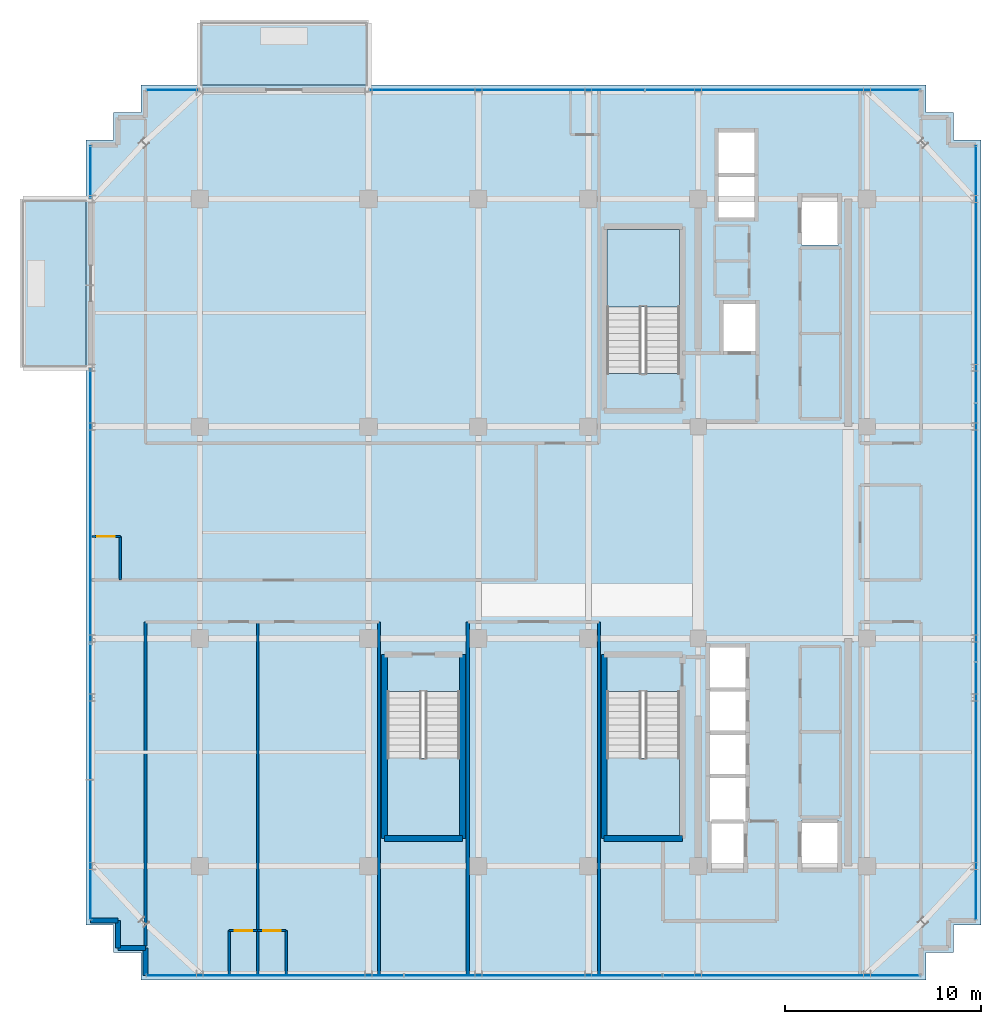
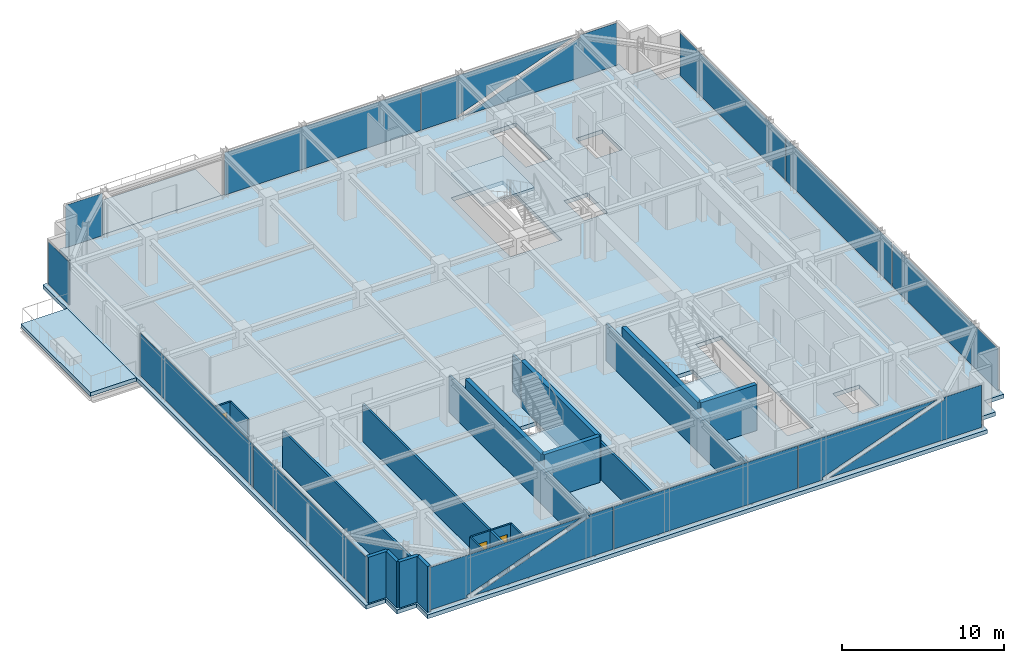
# One storey, part 27 of 34: 20 walls, 12 plates, 6 slabs, 3 doors, 3 openings, 9 elements without a shape of their own.
"""IFC4 building model written with IfcOpenShell, lengths in metres."""

from ifc_helpers import new_model, si_unit, direction, frame, frame_2d, origin, origin_2d, place, context, subcontext, project, spatial, polyline, rectangle, outline, extrude, source, transform, mapped, material, layer, layer_set, type_object, element, fill, aggregate, save


model = new_model("IFC4")

# Units and contexts
model_context = context("Model", 3, precision=1e-05, world=origin(), true_north=direction((0.0, 1.0)))
body_context = subcontext(model_context, "Body", "Model", "MODEL_VIEW")
ifc_project = project(units=[si_unit("LENGTHUNIT", "METRE"), si_unit("AREAUNIT", "SQUARE_METRE"), si_unit("VOLUMEUNIT", "CUBIC_METRE"), si_unit("PLANEANGLEUNIT", "RADIAN"), si_unit("MASSUNIT", "GRAM", prefix="KILO")], contexts=[model_context])

# Site, building, storey
site_placement = place(None, origin())
site = spatial("IfcSite", under=ifc_project, at=site_placement, CompositionType="ELEMENT")
building_placement = place(site_placement, origin())
building = spatial("IfcBuilding", under=site, at=building_placement, Name="Nahalor Promenade Grand Hotel", CompositionType="ELEMENT")
storey_placement = place(building_placement, frame((0.0, 0.0, 334.75)))
storey = spatial("IfcBuildingStorey", under=building, at=storey_placement, Name="L86", CompositionType="ELEMENT", Elevation=334.75)

# Curtain wall, plates
ifc_material_1 = material(Name="Anodised Bronze Aluminium EN AW-6063 T6", Category="aluminium")
curtain_wall_type = type_object("IfcCurtainWallType", Name="CW2 Typical Hotel Flush Bronze Unitised Curtain Wall", PredefinedType="USERDEFINED", material=ifc_material_1)
curtain_wall_1_placement = place(storey_placement, origin())
curtain_wall_1 = element("IfcCurtainWall", 1, at=curtain_wall_1_placement, inside=storey, type_object=curtain_wall_type, Name="L86 Curtain Wall CW-L86-S-1", ObjectType="UNITISED_CURTAIN_WALL", PredefinedType="USERDEFINED")
ifc_material_2 = material(Name="Low-E Laminated Solar Glass", Category="glass")
ifc_layer_1 = layer(ifc_material_2, 0.028076171875)
ifc_layer_set_1 = layer_set([ifc_layer_1], Name="Low-E Laminated Solar Glass")
plate_type = type_object("IfcPlateType", Name="CWP2 Bronze Low-E Vision IGU 28mm", PredefinedType="CURTAIN_PANEL", material=ifc_layer_set_1)
plate_1_placement = place(storey_placement, frame((-13.156982421875, -22.56005859375, 0.130126953125), z_axis=(0.0, 0.0, 1.0), x_axis=(1.0, 0.0, 0.0)))
plate_1 = element("IfcPlate", 2, at=plate_1_placement, type_object=plate_type, Name="CW-L86-S-1 Glazing Panel 0-0", PredefinedType="CURTAIN_PANEL", context=body_context, shape_type="SweptSolid", body=[
    extrude(outline(polyline([(-6.537841796875, 3.2099609375), (-6.537841796875, 0.0), (-3.8623046875, 0.0), (-3.927001953125, 0.175537109375), (4.305419921875, 3.2099609375), (-6.537841796875, 3.2099609375)])), frame((0.0, 0.01416015625, 0.0), z_axis=(0.0, -1.0, 0.0), x_axis=(1.0, 0.0, 0.0)), (0.0, 0.0, 1.0), 0.028076171875),
    extrude(outline(polyline([(6.537841796875, 0.0), (6.537841796875, 3.2099609375), (4.7763671875, 3.2099609375), (4.841064453125, 3.034423828125), (-3.39111328125, 0.0), (6.537841796875, 0.0)])), frame((0.0, 0.01416015625, 0.0), z_axis=(0.0, -1.0, 0.0), x_axis=(1.0, 0.0, 0.0)), (0.0, 0.0, 1.0), 0.028076171875),
])
plate_2_placement = place(storey_placement, frame((13.156982421875, -22.56005859375, 0.130126953125), z_axis=(0.0, 0.0, 1.0), x_axis=(1.0, 0.0, 0.0)))
plate_2 = element("IfcPlate", 3, at=plate_2_placement, type_object=plate_type, Name="CW-L86-S-1 Glazing Panel 2-0", PredefinedType="CURTAIN_PANEL", context=body_context, shape_type="SweptSolid", body=[
    extrude(outline(polyline([(-6.537841796875, 3.2099609375), (-6.537841796875, 0.0), (-4.7763671875, 0.0), (-4.841064453125, 0.175537109375), (3.39111328125, 3.2099609375), (-6.537841796875, 3.2099609375)])), frame((0.0, 0.01416015625, 0.0), z_axis=(0.0, -1.0, 0.0), x_axis=(1.0, 0.0, 0.0)), (0.0, 0.0, 1.0), 0.028076171875),
    extrude(outline(polyline([(6.537841796875, 0.0), (6.537841796875, 3.2099609375), (3.8623046875, 3.2099609375), (3.927001953125, 3.034423828125), (-4.305419921875, 0.0), (6.537841796875, 0.0)])), frame((0.0, 0.01416015625, 0.0), z_axis=(0.0, -1.0, 0.0), x_axis=(1.0, 0.0, 0.0)), (0.0, 0.0, 1.0), 0.028076171875),
])

# Curtain wall, plate
curtain_wall_2_placement = place(storey_placement, origin())
curtain_wall_2 = element("IfcCurtainWall", 4, at=curtain_wall_2_placement, inside=storey, type_object=curtain_wall_type, Name="L86 Curtain Wall CW-L86-N-3", ObjectType="UNITISED_CURTAIN_WALL", PredefinedType="USERDEFINED")
plate_3_placement = place(storey_placement, frame((12.703857421875, 22.56005859375, 0.130126953125), z_axis=(0.0, 0.0, 1.0), x_axis=(1.0, 0.0, 0.0)))
plate_3 = element("IfcPlate", 5, at=plate_3_placement, type_object=plate_type, Name="CW-L86-N-3 Glazing Panel 1-0", PredefinedType="CURTAIN_PANEL", context=body_context, shape_type="SweptSolid", body=[
    extrude(outline(polyline([(-6.9912109375, 3.2099609375), (-6.9912109375, 0.0), (-4.322998046875, 0.0), (-4.3876953125, 0.175537109375), (3.844482421875, 3.2099609375), (-6.9912109375, 3.2099609375)])), frame((0.0, 0.01416015625, 0.0), z_axis=(0.0, -1.0, 0.0), x_axis=(1.0, 0.0, 0.0)), (0.0, 0.0, 1.0), 0.028076171875),
    extrude(outline(polyline([(6.9912109375, 0.0), (6.9912109375, 3.2099609375), (4.3154296875, 3.2099609375), (4.380126953125, 3.034423828125), (-3.85205078125, 0.0), (6.9912109375, 0.0)])), frame((0.0, 0.01416015625, 0.0), z_axis=(0.0, -1.0, 0.0), x_axis=(1.0, 0.0, 0.0)), (0.0, 0.0, 1.0), 0.028076171875),
])

# Stair, slab
ifc_material_3 = material(Name="Concrete B-50 (C40/50)", Category="concrete")
stair_type_1 = type_object("IfcStairType", Name="Stair-ST1", PredefinedType="HALF_TURN_STAIR", material=ifc_material_3)
stair_1_placement = place(storey_placement, origin())
stair_1 = element("IfcStair", 6, at=stair_1_placement, inside=storey, type_object=stair_type_1, Name="L86 ST1", PredefinedType="HALF_TURN_STAIR")
ifc_layer_2 = layer(ifc_material_3, 0.199951171875)
ifc_layer_set_2 = layer_set([ifc_layer_2], Name="Concrete B-50 (C40/50)")
slab_type_1 = type_object("IfcSlabType", Name="Landing-ST1", PredefinedType="LANDING", material=ifc_layer_set_2)
slab_1_placement = place(storey_placement, frame((0.0, 0.0, 1.699951171875)))
slab_1 = element("IfcSlab", 7, at=slab_1_placement, type_object=slab_type_1, Name="ST1 landing 1", PredefinedType="LANDING", context=body_context, shape_type="SweptSolid", body=[
    extrude(outline(polyline([(7.449951171875, 11.5), (7.449951171875, 15.449951171875), (3.75, 15.449951171875), (3.75, 11.5), (7.449951171875, 11.5)])), origin(), (0.0, 0.0, 1.0), 0.199951171875),
])
aggregate(stair_1, [slab_1])

stair_type_2 = type_object("IfcStairType", Name="Stair-ST2", PredefinedType="HALF_TURN_STAIR", material=ifc_material_3)
stair_2_placement = place(storey_placement, origin())
stair_2 = element("IfcStair", 8, at=stair_2_placement, inside=storey, type_object=stair_type_2, Name="L86 ST2", PredefinedType="HALF_TURN_STAIR")
ifc_layer_3 = layer(ifc_material_3, 0.2099609375)
ifc_layer_set_3 = layer_set([ifc_layer_3], Name="Concrete B-50 (C40/50)")
slab_type_2 = type_object("IfcSlabType", Name="Landing-ST2", PredefinedType="LANDING", material=ifc_layer_set_3)
slab_2_placement = place(storey_placement, frame((0.0, 0.0, 1.68994140625)))
slab_2 = element("IfcSlab", 9, at=slab_2_placement, type_object=slab_type_2, Name="ST2 landing 1", PredefinedType="LANDING", context=body_context, shape_type="SweptSolid", body=[
    extrude(outline(polyline([(3.75, -11.5), (3.75, -15.449951171875), (7.449951171875, -15.449951171875), (7.449951171875, -11.5), (3.75, -11.5)])), origin(), (0.0, 0.0, 1.0), 0.2099609375),
])
aggregate(stair_2, [slab_2])

stair_type_3 = type_object("IfcStairType", Name="Stair-ST3", PredefinedType="HALF_TURN_STAIR", material=ifc_material_3)
stair_3_placement = place(storey_placement, origin())
stair_3 = element("IfcStair", 10, at=stair_3_placement, inside=storey, type_object=stair_type_3, Name="L86 ST3", PredefinedType="HALF_TURN_STAIR")
ifc_layer_4 = layer(ifc_material_3, 0.219970703125)
ifc_layer_set_4 = layer_set([ifc_layer_4], Name="Concrete B-50 (C40/50)")
slab_type_3 = type_object("IfcSlabType", Name="Landing-ST3", PredefinedType="LANDING", material=ifc_layer_set_4)
slab_3_placement = place(storey_placement, frame((0.0, 0.0, 1.679931640625)))
slab_3 = element("IfcSlab", 11, at=slab_3_placement, type_object=slab_type_3, Name="ST3 landing 1", PredefinedType="LANDING", context=body_context, shape_type="SweptSolid", body=[
    extrude(outline(polyline([(-7.449951171875, -11.5), (-7.449951171875, -15.449951171875), (-3.75, -15.449951171875), (-3.75, -11.5), (-7.449951171875, -11.5)])), origin(), (0.0, 0.0, 1.0), 0.219970703125),
])
aggregate(stair_3, [slab_3])

# Slabs
ifc_layer_5 = layer(ifc_material_3, 0.280029296875)
ifc_layer_set_5 = layer_set([ifc_layer_5], Name="Concrete B-50 (C40/50)")
slab_type_4 = type_object("IfcSlabType", Name="Slab-Balcony-280", PredefinedType="FLOOR", material=ifc_layer_set_5)
slab_4_placement = place(storey_placement, frame((0.0, 0.0, -0.280029296875)))
element("IfcSlab", 12, at=slab_4_placement, inside=storey, type_object=slab_type_4, Name="L86 Cantilevered Planted Balcony 1", PredefinedType="FLOOR", context=body_context, shape_type="SweptSolid", body=[
    extrude(outline(polyline([(-17.0, 22.800048828125), (-8.39990234375, 22.800048828125), (-8.39990234375, 26.050048828125), (-17.0, 26.050048828125), (-17.0, 22.800048828125)])), origin(), (0.0, 0.0, 1.0), 0.280029296875),
])
slab_5_placement = place(storey_placement, frame((0.0, 0.0, -0.280029296875)))
element("IfcSlab", 13, at=slab_5_placement, inside=storey, type_object=slab_type_4, Name="L86 Cantilevered Planted Balcony 2", PredefinedType="FLOOR", context=body_context, shape_type="SweptSolid", body=[
    extrude(outline(polyline([(-26.090087890625, 8.39990234375), (-22.800048828125, 8.39990234375), (-22.800048828125, 17.0), (-26.090087890625, 17.0), (-26.090087890625, 8.39990234375)])), origin(), (0.0, 0.0, 1.0), 0.280029296875),
])
ifc_layer_6 = layer(ifc_material_3, 0.300048828125)
ifc_layer_set_6 = layer_set([ifc_layer_6], Name="Concrete B-50 (C40/50)")
slab_type_5 = type_object("IfcSlabType", Name="Slab-TowerZ5-300", PredefinedType="FLOOR", material=ifc_layer_set_6)
slab_6_placement = place(storey_placement, frame((0.0, 0.0, -0.300048828125)))
element("IfcSlab", 14, at=slab_6_placement, inside=storey, type_object=slab_type_5, Name="L86 Suspended Structural Floor Slab", PredefinedType="FLOOR", context=body_context, shape_type="SweptSolid", body=[
    extrude(outline(polyline([(-20.0, -22.800048828125), (20.0, -22.800048828125), (20.0, -21.39990234375), (21.39990234375, -21.39990234375), (21.39990234375, -20.0), (22.800048828125, -20.0), (22.800048828125, 20.0), (21.39990234375, 20.0), (21.39990234375, 21.39990234375), (20.0, 21.39990234375), (20.0, 22.800048828125), (-20.0, 22.800048828125), (-20.0, 21.39990234375), (-21.39990234375, 21.39990234375), (-21.39990234375, 20.0), (-22.800048828125, 20.0), (-22.800048828125, -20.0), (-21.39990234375, -20.0), (-21.39990234375, -21.39990234375), (-20.0, -21.39990234375), (-20.0, -22.800048828125)]), holes=[polyline([(3.75, 8.10009765625), (7.449951171875, 8.10009765625), (7.449951171875, 15.449951171875), (3.75, 15.449951171875), (3.75, 8.10009765625)]), polyline([(3.75, -15.449951171875), (7.449951171875, -15.449951171875), (7.449951171875, -8.10009765625), (3.75, -8.10009765625), (3.75, -15.449951171875)]), polyline([(-7.449951171875, -15.449951171875), (-3.75, -15.449951171875), (-3.75, -8.10009765625), (-7.449951171875, -8.10009765625), (-7.449951171875, -15.449951171875)]), polyline([(8.9599609375, -17.18994140625), (10.840087890625, -17.18994140625), (10.840087890625, -5.81005859375), (8.9599609375, -5.81005859375), (8.9599609375, -17.18994140625)]), polyline([(9.409912109375, 16.010009765625), (11.2900390625, 16.010009765625), (11.2900390625, 20.43994140625), (9.409912109375, 20.43994140625), (9.409912109375, 16.010009765625)]), polyline([(9.659912109375, 9.2099609375), (11.340087890625, 9.2099609375), (11.340087890625, 11.68994140625), (9.659912109375, 11.68994140625), (9.659912109375, 9.2099609375)]), polyline([(13.659912109375, 14.659912109375), (15.5400390625, 14.659912109375), (15.5400390625, 17.139892578125), (13.659912109375, 17.139892578125), (13.659912109375, 14.659912109375)]), polyline([(13.659912109375, -17.139892578125), (15.5400390625, -17.139892578125), (15.5400390625, -14.659912109375), (13.659912109375, -14.659912109375), (13.659912109375, -17.139892578125)])]), origin(), (0.0, 0.0, 1.0), 0.300048828125),
])

# Plate
shared_shape_1 = source(origin(), body_context, "Body", "SweptSolid", [
    extrude(rectangle(XDim=13.1083984375, YDim=0.028076171875, at=origin_2d()), origin(), (0.0, 0.0, 1.0), 3.2099609375),
])
plate_4_placement = place(storey_placement, frame((0.0, -22.56005859375, 0.130126953125), z_axis=(0.0, 0.0, 1.0), x_axis=(1.0, 0.0, 0.0)))
plate_4 = element("IfcPlate", 15, at=plate_4_placement, type_object=plate_type, Name="CW-L86-S-1 Glazing Panel 1-0", PredefinedType="CURTAIN_PANEL", context=body_context, shape_type="MappedRepresentation", body=[
    mapped(shared_shape_1, transform((0.0, 0.0, 0.0), scale=1.0)),
])

aggregate(curtain_wall_1, [plate_1, plate_4, plate_2])

# Curtain wall, plate
curtain_wall_3_placement = place(storey_placement, origin())
curtain_wall_3 = element("IfcCurtainWall", 16, at=curtain_wall_3_placement, inside=storey, type_object=curtain_wall_type, Name="L86 Curtain Wall CW-L86-E-1", ObjectType="UNITISED_CURTAIN_WALL", PredefinedType="USERDEFINED")
plate_5_placement = place(storey_placement, frame((22.56005859375, 0.0, 0.130126953125), z_axis=(0.0, 0.0, 1.0), x_axis=(0.0, 1.0, 0.0)))
plate_5 = element("IfcPlate", 17, at=plate_5_placement, type_object=plate_type, Name="CW-L86-E-1 Glazing Panel 1-0", PredefinedType="CURTAIN_PANEL", context=body_context, shape_type="MappedRepresentation", body=[
    mapped(shared_shape_1, transform((0.0, 0.0, 0.0), scale=1.0)),
])

curtain_wall_4_placement = place(storey_placement, origin())
curtain_wall_4 = element("IfcCurtainWall", 18, at=curtain_wall_4_placement, inside=storey, type_object=curtain_wall_type, Name="L86 Curtain Wall CW-L86-N-1", ObjectType="UNITISED_CURTAIN_WALL", PredefinedType="USERDEFINED")
shared_shape_2 = source(origin(), body_context, "Body", "SweptSolid", [
    extrude(rectangle(XDim=2.6298828125, YDim=0.028076171875, at=origin_2d()), origin(), (0.0, 0.0, 1.0), 3.2099609375),
])
plate_6_placement = place(storey_placement, frame((-18.3798828125, 22.56005859375, 0.130126953125), z_axis=(0.0, 0.0, 1.0), x_axis=(1.0, 0.0, 0.0)))
plate_6 = element("IfcPlate", 19, at=plate_6_placement, type_object=plate_type, Name="CW-L86-N-1 Glazing Panel 0-0", PredefinedType="CURTAIN_PANEL", context=body_context, shape_type="MappedRepresentation", body=[
    mapped(shared_shape_2, transform((0.0, 0.0, 0.0), scale=1.0)),
])
aggregate(curtain_wall_4, [plate_6])

curtain_wall_5_placement = place(storey_placement, origin())
curtain_wall_5 = element("IfcCurtainWall", 20, at=curtain_wall_5_placement, inside=storey, type_object=curtain_wall_type, Name="L86 Curtain Wall CW-L86-W-3", ObjectType="UNITISED_CURTAIN_WALL", PredefinedType="USERDEFINED")
plate_7_placement = place(storey_placement, frame((-22.56005859375, 18.3798828125, 0.130126953125), z_axis=(0.0, 0.0, 1.0), x_axis=(0.0, 1.0, 0.0)))
plate_7 = element("IfcPlate", 21, at=plate_7_placement, type_object=plate_type, Name="CW-L86-W-3 Glazing Panel 0-0", PredefinedType="CURTAIN_PANEL", context=body_context, shape_type="MappedRepresentation", body=[
    mapped(shared_shape_2, transform((0.0, 0.0, 0.0), scale=1.0)),
])
aggregate(curtain_wall_5, [plate_7])

# Plate
shared_shape_3 = source(origin(), body_context, "Body", "SweptSolid", [
    extrude(rectangle(XDim=13.982421875, YDim=0.028076171875, at=origin_2d()), origin(), (0.0, 0.0, 1.0), 3.2099609375),
])
plate_8_placement = place(storey_placement, frame((-1.34375, 22.56005859375, 0.130126953125), z_axis=(0.0, 0.0, 1.0), x_axis=(1.0, 0.0, 0.0)))
plate_8 = element("IfcPlate", 22, at=plate_8_placement, type_object=plate_type, Name="CW-L86-N-3 Glazing Panel 0-0", PredefinedType="CURTAIN_PANEL", context=body_context, shape_type="MappedRepresentation", body=[
    mapped(shared_shape_3, transform((0.0, 0.0, 0.0), scale=1.0)),
])

aggregate(curtain_wall_2, [plate_8, plate_3])

# Curtain wall, plates
curtain_wall_6_placement = place(storey_placement, origin())
curtain_wall_6 = element("IfcCurtainWall", 23, at=curtain_wall_6_placement, inside=storey, type_object=curtain_wall_type, Name="L86 Curtain Wall CW-L86-W-1", ObjectType="UNITISED_CURTAIN_WALL", PredefinedType="USERDEFINED")
plate_9_placement = place(storey_placement, frame((-22.56005859375, -12.703857421875, 0.130126953125), z_axis=(0.0, 0.0, 1.0), x_axis=(0.0, 1.0, 0.0)))
plate_9 = element("IfcPlate", 24, at=plate_9_placement, type_object=plate_type, Name="CW-L86-W-1 Glazing Panel 0-0", PredefinedType="CURTAIN_PANEL", context=body_context, shape_type="MappedRepresentation", body=[
    mapped(shared_shape_3, transform((0.0, 0.0, 0.0), scale=1.0)),
])
plate_10_placement = place(storey_placement, frame((-22.56005859375, 1.34375, 0.130126953125), z_axis=(0.0, 0.0, 1.0), x_axis=(0.0, 1.0, 0.0)))
plate_10 = element("IfcPlate", 25, at=plate_10_placement, type_object=plate_type, Name="CW-L86-W-1 Glazing Panel 1-0", PredefinedType="CURTAIN_PANEL", context=body_context, shape_type="MappedRepresentation", body=[
    mapped(shared_shape_3, transform((0.0, 0.0, 0.0), scale=1.0)),
])
aggregate(curtain_wall_6, [plate_9, plate_10])

# Plate
shared_shape_4 = source(origin(), body_context, "Body", "SweptSolid", [
    extrude(rectangle(XDim=13.075927734375, YDim=0.028076171875, at=origin_2d()), origin(), (0.0, 0.0, 1.0), 3.2099609375),
])
plate_11_placement = place(storey_placement, frame((22.56005859375, -13.156982421875, 0.130126953125), z_axis=(0.0, 0.0, 1.0), x_axis=(0.0, 1.0, 0.0)))
plate_11 = element("IfcPlate", 26, at=plate_11_placement, type_object=plate_type, Name="CW-L86-E-1 Glazing Panel 0-0", PredefinedType="CURTAIN_PANEL", context=body_context, shape_type="MappedRepresentation", body=[
    mapped(shared_shape_4, transform((0.0, 0.0, 0.0), scale=1.0)),
])

plate_12_placement = place(storey_placement, frame((22.56005859375, 13.156982421875, 0.130126953125), z_axis=(0.0, 0.0, 1.0), x_axis=(0.0, 1.0, 0.0)))
plate_12 = element("IfcPlate", 27, at=plate_12_placement, type_object=plate_type, Name="CW-L86-E-1 Glazing Panel 2-0", PredefinedType="CURTAIN_PANEL", context=body_context, shape_type="MappedRepresentation", body=[
    mapped(shared_shape_4, transform((0.0, 0.0, 0.0), scale=1.0)),
])

aggregate(curtain_wall_3, [plate_11, plate_5, plate_12])

# Walls
ifc_layer_7 = layer(ifc_material_3, 0.300048828125)
ifc_layer_set_7 = layer_set([ifc_layer_7], Name="Concrete B-50 (C40/50)")
wall_type_1 = type_object("IfcWallType", Name="Wall-ShaftShear-300", PredefinedType="SHEAR", material=ifc_layer_set_7)
shared_shape_5 = source(origin(), body_context, "Body", "SweptSolid", [
    extrude(rectangle(XDim=3.97998046875, YDim=0.300048828125, at=frame_2d((1.989990234375, 0.0))), origin(), (0.0, 0.0, 1.0), 3.469970703125),
])
for number, where, z_axis, x_axis, name in (
    (28, (3.610107421875, -15.590087890625, 0.0), (0.0, 0.0, 1.0), (1.0, 0.0, 0.0), "L86 Exit Stair ST2 Shaft Wall S"),
    (29, (-7.590087890625, -15.590087890625, 0.0), (0.0, 0.0, 1.0), (1.0, 0.0, 0.0), "L86 Exit Stair ST3 Shaft Wall S"),
):
    element("IfcWall", number, at=place(storey_placement, frame(where, z_axis=z_axis, x_axis=x_axis)), inside=storey, type_object=wall_type_1, Name=name, PredefinedType="SHEAR", context=body_context, shape_type="MappedRepresentation", body=[
        mapped(shared_shape_5, transform((0.0, 0.0, 0.0), scale=1.0)),
    ])
shared_shape_6 = source(origin(), body_context, "Body", "SweptSolid", [
    extrude(rectangle(XDim=9.380126953125, YDim=0.300048828125, at=frame_2d((4.68994140625, 0.0))), origin(), (0.0, 0.0, 1.0), 3.469970703125),
])
for number, where, z_axis, x_axis, name in (
    (30, (3.610107421875, -15.590087890625, 0.0), (0.0, 0.0, 1.0), (0.0, 1.0, 0.0), "L86 Exit Stair ST2 Shaft Wall W"),
    (31, (-7.590087890625, -15.590087890625, 0.0), (0.0, 0.0, 1.0), (0.0, 1.0, 0.0), "L86 Exit Stair ST3 Shaft Wall W"),
    (32, (-3.610107421875, -15.590087890625, 0.0), (0.0, 0.0, 1.0), (0.0, 1.0, 0.0), "L86 Exit Stair ST3 Shaft Wall E"),
):
    element("IfcWall", number, at=place(storey_placement, frame(where, z_axis=z_axis, x_axis=x_axis)), inside=storey, type_object=wall_type_1, Name=name, PredefinedType="SHEAR", context=body_context, shape_type="MappedRepresentation", body=[
        mapped(shared_shape_6, transform((0.0, 0.0, 0.0), scale=1.0)),
    ])
ifc_material_4 = material(Name="Concrete B-40 (C32/40)", Category="concrete")
ifc_layer_8 = layer(ifc_material_4, 0.25)
ifc_layer_set_8 = layer_set([ifc_layer_8], Name="Concrete B-40 (C32/40)")
wall_type_2 = type_object("IfcWallType", Name="Wall-BronzePier-250", PredefinedType="STANDARD", material=ifc_layer_set_8)
shared_shape_7 = source(origin(), body_context, "Body", "SweptSolid", [
    extrude(rectangle(XDim=1.400146484375, YDim=0.25, at=frame_2d((0.7001953125, 0.0))), origin(), (0.0, 0.0, 1.0), 3.469970703125),
])
for number, where, z_axis, x_axis, name in (
    (33, (-22.56005859375, -19.760009765625, 0.0), (0.0, 0.0, 1.0), (1.0, 0.0, 0.0), "W-L86-SR-13"),
    (34, (-19.760009765625, -22.56005859375, 0.0), (0.0, 0.0, 1.0), (0.0, 1.0, 0.0), "W-L86-SR-16"),
):
    element("IfcWall", number, at=place(storey_placement, frame(where, z_axis=z_axis, x_axis=x_axis)), inside=storey, type_object=wall_type_2, Name=name, PredefinedType="STANDARD", context=body_context, shape_type="MappedRepresentation", body=[
        mapped(shared_shape_7, transform((0.0, 0.0, 0.0), scale=1.0)),
    ])
shared_shape_8 = source(origin(), body_context, "Body", "SweptSolid", [
    extrude(rectangle(XDim=1.39990234375, YDim=0.25, at=frame_2d((0.699951171875, 0.0))), origin(), (0.0, 0.0, 1.0), 3.469970703125),
])
for number, where, z_axis, x_axis, name in (
    (35, (-21.159912109375, -21.159912109375, 0.0), (0.0, 0.0, 1.0), (0.0, 1.0, 0.0), "W-L86-SR-14"),
    (36, (-21.159912109375, -21.159912109375, 0.0), (0.0, 0.0, 1.0), (1.0, 0.0, 0.0), "W-L86-SR-15"),
):
    element("IfcWall", number, at=place(storey_placement, frame(where, z_axis=z_axis, x_axis=x_axis)), inside=storey, type_object=wall_type_2, Name=name, PredefinedType="STANDARD", context=body_context, shape_type="MappedRepresentation", body=[
        mapped(shared_shape_8, transform((0.0, 0.0, 0.0), scale=1.0)),
    ])
ifc_material_5 = material(Name="Acoustic Mineral Gypsum", Category="gypsum")
ifc_layer_9 = layer(ifc_material_5, 0.159912109375)
ifc_layer_set_9 = layer_set([ifc_layer_9], Name="Acoustic Mineral Gypsum")
wall_type_3 = type_object("IfcWallType", Name="Wall-PartCorridor-160", PredefinedType="PARTITIONING", material=ifc_layer_set_9)
shared_shape_9 = source(origin(), body_context, "Body", "SweptSolid", [
    extrude(rectangle(XDim=17.949951171875, YDim=0.159912109375, at=frame_2d((8.97509765625, 0.0))), origin(), (0.0, 0.0, 1.0), 2.81005859375),
])
for number, where, z_axis, x_axis, name in (
    (37, (-3.340087890625, -22.5, 0.0), (0.0, 0.0, 1.0), (0.0, 1.0, 0.0), "W-L86-SCB-W"),
    (38, (3.340087890625, -22.5, 0.0), (0.0, 0.0, 1.0), (0.0, 1.0, 0.0), "W-L86-SCB-E"),
):
    element("IfcWall", number, at=place(storey_placement, frame(where, z_axis=z_axis, x_axis=x_axis)), inside=storey, type_object=wall_type_3, Name=name, PredefinedType="PARTITIONING", context=body_context, shape_type="MappedRepresentation", body=[
        mapped(shared_shape_9, transform((0.0, 0.0, 0.0), scale=1.0)),
    ])
ifc_layer_10 = layer(ifc_material_5, 0.139892578125)
ifc_layer_set_10 = layer_set([ifc_layer_10], Name="Acoustic Mineral Gypsum")
wall_type_4 = type_object("IfcWallType", Name="Wall-PartSuite-140", PredefinedType="PARTITIONING", material=ifc_layer_set_10)
shared_shape_10 = source(origin(), body_context, "Body", "SweptSolid", [
    extrude(rectangle(XDim=16.530029296875, YDim=0.139892578125, at=frame_2d((8.26513671875, 0.0))), origin(), (0.0, 0.0, 1.0), 2.81005859375),
])
wall_1_placement = place(storey_placement, frame((-19.760009765625, -21.080078125, 0.0), z_axis=(0.0, 0.0, 1.0), x_axis=(0.0, 1.0, 0.0)))
element("IfcWall", 39, at=wall_1_placement, inside=storey, type_object=wall_type_4, Name="W-L86-SW-ENDW", PredefinedType="PARTITIONING", context=body_context, shape_type="MappedRepresentation", body=[
    mapped(shared_shape_10, transform((0.0, 0.0, 0.0), scale=1.0)),
])
shared_shape_11 = source(origin(), body_context, "Body", "SweptSolid", [
    extrude(rectangle(XDim=17.949951171875, YDim=0.139892578125, at=frame_2d((8.97509765625, 0.0))), origin(), (0.0, 0.0, 1.0), 2.81005859375),
])
for number, where, z_axis, x_axis, name in (
    (40, (-7.860107421875, -22.5, 0.0), (0.0, 0.0, 1.0), (0.0, 1.0, 0.0), "W-L86-SW-ENDE"),
    (41, (-14.048095703125, -22.5, 0.0), (0.0, 0.0, 1.0), (0.0, 1.0, 0.0), "W-L86-SP-1"),
):
    element("IfcWall", number, at=place(storey_placement, frame(where, z_axis=z_axis, x_axis=x_axis)), inside=storey, type_object=wall_type_4, Name=name, PredefinedType="PARTITIONING", context=body_context, shape_type="MappedRepresentation", body=[
        mapped(shared_shape_11, transform((0.0, 0.0, 0.0), scale=1.0)),
    ])

# Wall, opening, door
ifc_layer_11 = layer(ifc_material_5, 0.1201171875)
ifc_layer_set_11 = layer_set([ifc_layer_11], Name="Acoustic Mineral Gypsum")
wall_type_5 = type_object("IfcWallType", Name="Wall-PartBath-120", PredefinedType="PARTITIONING", material=ifc_layer_set_11)
shared_shape_12 = source(origin(), body_context, "Body", "SweptSolid", [
    extrude(rectangle(XDim=1.4501953125, YDim=0.1201171875, at=frame_2d((0.72509765625, 0.0))), origin(), (0.0, 0.0, 1.0), 2.81005859375),
])
wall_2_placement = place(storey_placement, frame((-14.048095703125, -20.280029296875, 0.0), z_axis=(0.0, 0.0, 1.0), x_axis=(1.0, 0.0, 0.0)))
wall_2 = element("IfcWall", 42, at=wall_2_placement, inside=storey, type_object=wall_type_5, Name="W-L86-S2-BH", PredefinedType="PARTITIONING", context=body_context, shape_type="MappedRepresentation", body=[
    mapped(shared_shape_12, transform((0.0, 0.0, 0.0), scale=1.0)),
])
opening_1_placement = place(wall_2_placement, frame((0.284912109375, 0.0, 0.0)))
opening_1 = element("IfcOpeningElement", 43, at=opening_1_placement, cuts=wall_2, Name="Opening D-03", PredefinedType="OPENING", context=body_context, shape_type="SweptSolid", body=[
    extrude(rectangle(XDim=0.8798828125, YDim=2.10009765625, at=frame_2d((0.43994140625, 1.050048828125))), frame((0.0, 0.070068359375, 0.0), z_axis=(0.0, -1.0, 0.0), x_axis=(1.0, 0.0, 0.0)), (0.0, 0.0, 1.0), 0.14013671875),
])
ifc_material_6 = material(Name="Fire-Rated Timber Composite", Category="wood")
door_type = type_object("IfcDoorType", Name="Door-BathSwing-880", OperationType="NOTDEFINED", PredefinedType="DOOR", material=ifc_material_6)
shared_shape_13 = source(origin(), body_context, "Body", "SweptSolid", [
    extrude(rectangle(XDim=0.8798828125, YDim=2.10009765625, at=frame_2d((0.43994140625, 1.050048828125))), frame((0.0, 0.02490234375, 0.0), z_axis=(0.0, -1.0, 0.0), x_axis=(1.0, 0.0, 0.0)), (0.0, 0.0, 1.0), 0.050048828125),
])
door_1_placement = place(opening_1_placement, frame((0.8798828125, 0.0, 0.0), z_axis=(0.0, 0.0, 1.0), x_axis=(-1.0, 0.0, 0.0)))
door_1 = element("IfcDoor", 44, at=door_1_placement, inside=storey, type_object=door_type, Name="DR-L86-S2-BATH", OperationType="SINGLE_SWING_LEFT", OverallHeight=2.10009765625, OverallWidth=0.8798828125, PredefinedType="DOOR", context=body_context, shape_type="MappedRepresentation", body=[
    mapped(shared_shape_13, transform((0.0, 0.0, 0.0), scale=1.0)),
])
fill(opening_1, door_1)

# Walls
shared_shape_14 = source(origin(), body_context, "Body", "SweptSolid", [
    extrude(rectangle(XDim=2.219970703125, YDim=0.1201171875, at=frame_2d((1.10986328125, 0.0))), origin(), (0.0, 0.0, 1.0), 2.81005859375),
])
for number, where, z_axis, x_axis, name in (
    (45, (-15.498046875, -22.5, 0.0), (0.0, 0.0, 1.0), (0.0, 1.0, 0.0), "W-L86-S1-BV"),
    (46, (-12.597900390625, -22.5, 0.0), (0.0, 0.0, 1.0), (0.0, 1.0, 0.0), "W-L86-S2-BV"),
    (47, (-21.050048828125, -2.419921875, 0.0), (0.0, 0.0, 1.0), (0.0, 1.0, 0.0), "W-L86-W1-BV"),
):
    element("IfcWall", number, at=place(storey_placement, frame(where, z_axis=z_axis, x_axis=x_axis)), inside=storey, type_object=wall_type_5, Name=name, PredefinedType="PARTITIONING", context=body_context, shape_type="MappedRepresentation", body=[
        mapped(shared_shape_14, transform((0.0, 0.0, 0.0), scale=1.0)),
    ])

# Wall, opening, door
shared_shape_15 = source(origin(), body_context, "Body", "SweptSolid", [
    extrude(rectangle(XDim=1.449951171875, YDim=0.1201171875, at=frame_2d((0.72509765625, 0.0))), origin(), (0.0, 0.0, 1.0), 2.81005859375),
])
wall_3_placement = place(storey_placement, frame((-15.498046875, -20.280029296875, 0.0), z_axis=(0.0, 0.0, 1.0), x_axis=(1.0, 0.0, 0.0)))
wall_3 = element("IfcWall", 48, at=wall_3_placement, inside=storey, type_object=wall_type_5, Name="W-L86-S1-BH", PredefinedType="PARTITIONING", context=body_context, shape_type="MappedRepresentation", body=[
    mapped(shared_shape_15, transform((0.0, 0.0, 0.0), scale=1.0)),
])
opening_2_placement = place(wall_3_placement, frame((0.284912109375, 0.0, 0.0)))
opening_2 = element("IfcOpeningElement", 49, at=opening_2_placement, cuts=wall_3, Name="Opening D-03", PredefinedType="OPENING", context=body_context, shape_type="SweptSolid", body=[
    extrude(rectangle(XDim=0.8798828125, YDim=2.10009765625, at=frame_2d((0.43994140625, 1.050048828125))), frame((0.0, 0.070068359375, 0.0), z_axis=(0.0, -1.0, 0.0), x_axis=(1.0, 0.0, 0.0)), (0.0, 0.0, 1.0), 0.14013671875),
])
door_2_placement = place(opening_2_placement, frame((0.8798828125, 0.0, 0.0), z_axis=(0.0, 0.0, 1.0), x_axis=(-1.0, 0.0, 0.0)))
door_2 = element("IfcDoor", 50, at=door_2_placement, inside=storey, type_object=door_type, Name="DR-L86-S1-BATH", OperationType="SINGLE_SWING_LEFT", OverallHeight=2.10009765625, OverallWidth=0.8798828125, PredefinedType="DOOR", context=body_context, shape_type="MappedRepresentation", body=[
    mapped(shared_shape_13, transform((0.0, 0.0, 0.0), scale=1.0)),
])
fill(opening_2, door_2)

wall_4_placement = place(storey_placement, frame((-22.5, -0.199951171875, 0.0), z_axis=(0.0, 0.0, 1.0), x_axis=(1.0, 0.0, 0.0)))
wall_4 = element("IfcWall", 51, at=wall_4_placement, inside=storey, type_object=wall_type_5, Name="W-L86-W1-BH", PredefinedType="PARTITIONING", context=body_context, shape_type="MappedRepresentation", body=[
    mapped(shared_shape_15, transform((0.0, 0.0, 0.0), scale=1.0)),
])
opening_3_placement = place(wall_4_placement, frame((0.284912109375, 0.0, 0.0)))
opening_3 = element("IfcOpeningElement", 52, at=opening_3_placement, cuts=wall_4, Name="Opening D-03", PredefinedType="OPENING", context=body_context, shape_type="SweptSolid", body=[
    extrude(rectangle(XDim=0.8798828125, YDim=2.10009765625, at=frame_2d((0.43994140625, 1.050048828125))), frame((0.0, 0.070068359375, 0.0), z_axis=(0.0, -1.0, 0.0), x_axis=(1.0, 0.0, 0.0)), (0.0, 0.0, 1.0), 0.14013671875),
])
door_3_placement = place(opening_3_placement, frame((0.8798828125, 0.0, 0.0), z_axis=(0.0, 0.0, 1.0), x_axis=(-1.0, 0.0, 0.0)))
door_3 = element("IfcDoor", 53, at=door_3_placement, inside=storey, type_object=door_type, Name="DR-L86-W1-BATH", OperationType="SINGLE_SWING_LEFT", OverallHeight=2.10009765625, OverallWidth=0.8798828125, PredefinedType="DOOR", context=body_context, shape_type="MappedRepresentation", body=[
    mapped(shared_shape_13, transform((0.0, 0.0, 0.0), scale=1.0)),
])
fill(opening_3, door_3)

save(model, "model.ifc")
